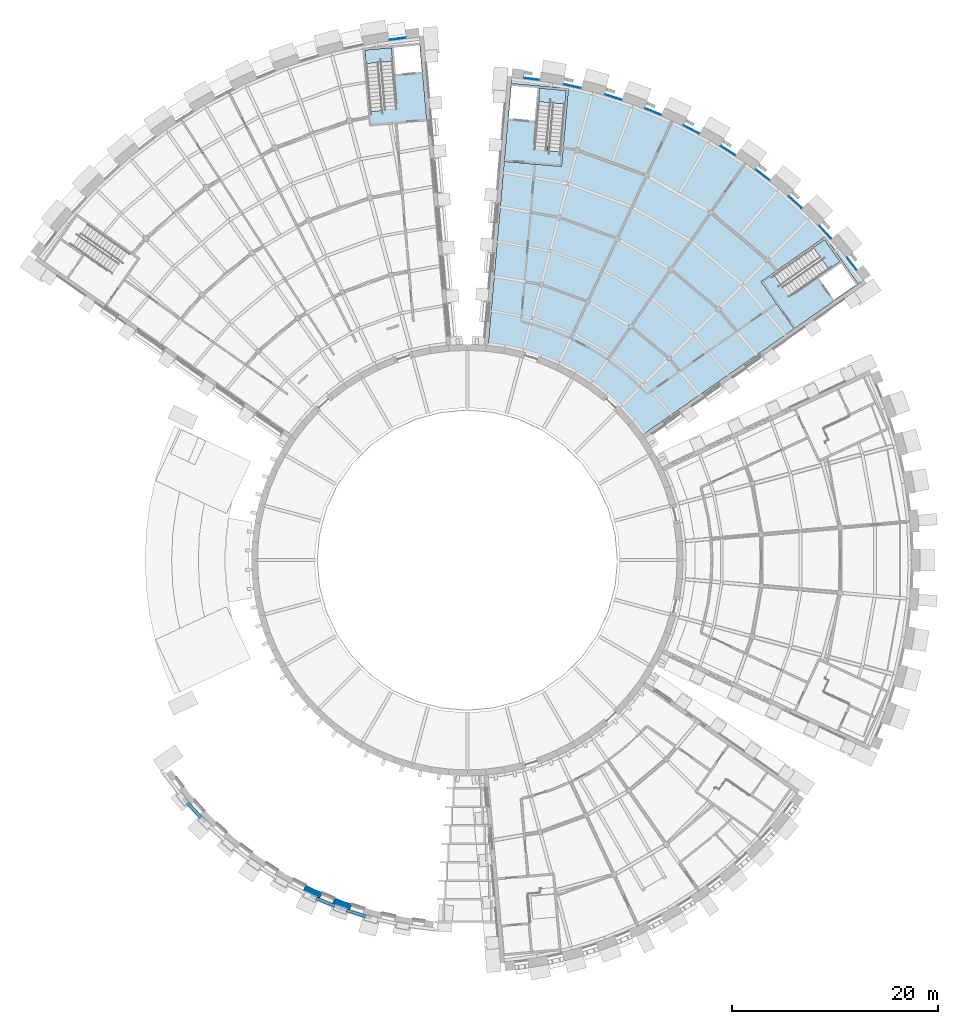
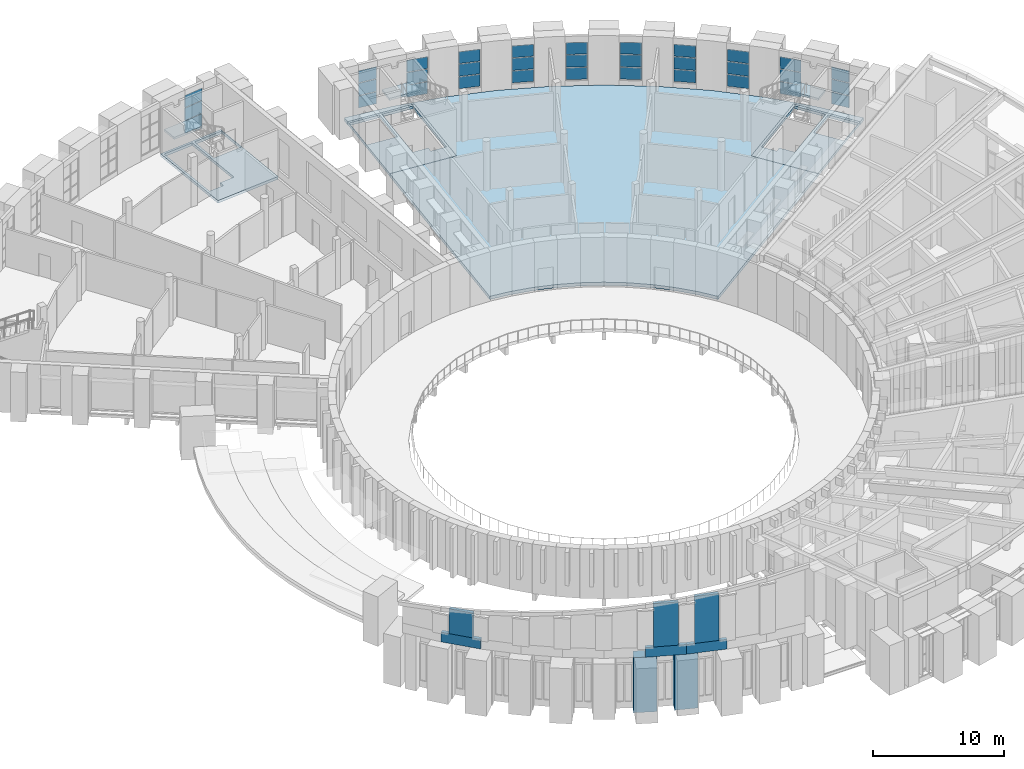
# One storey, part 22 of 50: 33 plates, 8 walls, 7 slabs, 14 elements without a shape of their own.
"""IFC4 building model written with IfcOpenShell, lengths in metres."""

from ifc_helpers import new_model, si_unit, direction, frame, origin, origin_2d, place, context, subcontext, project, spatial, polyline, rectangle, outline, extrude, material, layer, layer_set, type_object, element, aggregate, save


model = new_model("IFC4")

# Units and contexts
model_context = context("Model", 3, precision=1e-05, world=origin(), true_north=direction((0.0, 1.0)))
body_context = subcontext(model_context, "Body", "Model", "MODEL_VIEW")
ifc_project = project(units=[si_unit("LENGTHUNIT", "METRE"), si_unit("AREAUNIT", "SQUARE_METRE"), si_unit("VOLUMEUNIT", "CUBIC_METRE"), si_unit("PLANEANGLEUNIT", "RADIAN"), si_unit("MASSUNIT", "GRAM", prefix="KILO")], contexts=[model_context])

# Site, building, storey
site_placement = place(None, origin())
site = spatial("IfcSite", under=ifc_project, at=site_placement, CompositionType="ELEMENT")
building_placement = place(site_placement, origin())
building = spatial("IfcBuilding", under=site, at=building_placement, Name="Volute Hill Aquarium", CompositionType="ELEMENT")
storey_placement = place(building_placement, frame((0.0, 0.0, 9.199951171875)))
storey = spatial("IfcBuildingStorey", under=building, at=storey_placement, Name="L03", CompositionType="ELEMENT", Elevation=9.199951171875)

# Slabs
ifc_material_1 = material(Name="Concrete C30/37", Category="concrete")
ifc_layer_1 = layer(ifc_material_1, 0.25)
ifc_layer_set_1 = layer_set([ifc_layer_1], Name="Core floor slab 250")
slab_type_1 = type_object("IfcSlabType", Name="Core floor slab 250", PredefinedType="FLOOR", material=ifc_layer_set_1)
slab_1_placement = place(storey_placement, frame((0.0, 0.0, -0.25)))
element("IfcSlab", 1, at=slab_1_placement, inside=storey, type_object=slab_type_1, Name="cs/S5-A/L03", PredefinedType="FLOOR", context=body_context, shape_type="SweptSolid", body=[
    extrude(outline(polyline([(31.791259765625, 22.504638671875), (38.016845703125, 26.86376953125), (34.8046875, 31.451171875), (28.5791015625, 27.091796875), (31.791259765625, 22.504638671875)]), holes=[polyline([(34.23193359375, 27.3876953125), (36.36181640625, 28.87890625), (37.82421875, 26.7900390625), (35.694580078125, 25.298828125), (34.23193359375, 27.3876953125)]), polyline([(30.955078125, 26.92431640625), (30.587890625, 26.667236328125), (29.84228515625, 27.732177734375), (34.755615234375, 31.172607421875), (36.2470703125, 29.042724609375), (31.70068359375, 25.859375), (30.955078125, 26.92431640625)])]), origin(), (0.0, 0.0, 1.0), 0.25),
])
slab_2_placement = place(storey_placement, frame((0.0, 0.0, -0.25)))
element("IfcSlab", 2, at=slab_2_placement, inside=storey, type_object=slab_type_1, Name="cs/S5-B/L03", PredefinedType="FLOOR", context=body_context, shape_type="SweptSolid", body=[
    extrude(outline(polyline([(9.172607421875, 38.29638671875), (9.8349609375, 45.867431640625), (4.25634765625, 46.35546875), (3.593994140625, 38.784423828125), (9.172607421875, 38.29638671875)]), holes=[polyline([(4.009765625, 42.964111328125), (4.288818359375, 46.15185546875), (6.8291015625, 45.9296875), (6.550048828125, 42.74169921875), (4.009765625, 42.964111328125)]), polyline([(6.54443359375, 40.38330078125), (7.0283203125, 45.912109375), (9.618408203125, 45.685546875), (9.095703125, 39.71044921875), (7.800537109375, 39.82373046875), (7.839599609375, 40.27001953125), (6.54443359375, 40.38330078125)])]), origin(), (0.0, 0.0, 1.0), 0.25),
])
slab_3_placement = place(storey_placement, frame((0.0, 0.0, -0.25)))
element("IfcSlab", 3, at=slab_3_placement, inside=storey, type_object=slab_type_1, Name="cs/S6-A/L03", PredefinedType="FLOOR", context=body_context, shape_type="SweptSolid", body=[
    extrude(outline(polyline([(-3.938232421875, 42.71923828125), (-4.6005859375, 50.290283203125), (-10.17919921875, 49.80224609375), (-9.516845703125, 42.231201171875), (-3.938232421875, 42.71923828125)]), holes=[polyline([(-6.94677734375, 47.2744140625), (-7.17333984375, 49.864501953125), (-4.633056640625, 50.0869140625), (-4.406494140625, 47.49658203125), (-6.94677734375, 47.2744140625)]), polyline([(-8.183837890625, 44.204833984375), (-8.144775390625, 43.758544921875), (-9.43994140625, 43.645263671875), (-9.962646484375, 49.62060546875), (-7.37255859375, 49.84716796875), (-6.888916015625, 44.318115234375), (-8.183837890625, 44.204833984375)])]), origin(), (0.0, 0.0, 1.0), 0.25),
])

# Curtain wall, plates
ifc_material_2 = material(Name="Aluminium", Category="aluminium")
ifc_layer_2 = layer(ifc_material_2, 0.25)
ifc_layer_set_2 = layer_set([ifc_layer_2], Name="Curtain wall niche S5 module 1585")
curtain_wall_type_1 = type_object("IfcCurtainWallType", Name="Curtain wall niche S5 module 1585", PredefinedType="NOTDEFINED", material=ifc_layer_set_2)
curtain_wall_1_placement = place(storey_placement, origin())
curtain_wall_1 = element("IfcCurtainWall", 4, at=curtain_wall_1_placement, inside=storey, type_object=curtain_wall_type_1, Name="Curtain wall CW S5 L03 1", PredefinedType="NOTDEFINED")
ifc_material_3 = material(Name="Glass, low-iron laminated", Category="glass")
ifc_layer_3 = layer(ifc_material_3, 0.035888671875)
ifc_layer_set_3 = layer_set([ifc_layer_3], Name="Curtain wall glass panel S5 36")
plate_type_1 = type_object("IfcPlateType", Name="Curtain wall glass panel S5 36", PredefinedType="CURTAIN_PANEL", material=ifc_layer_set_3)
plate_1_placement = place(storey_placement, frame((37.408935546875, 28.8310546875, 0.510009765625), z_axis=(0.0, 0.0, 1.0), x_axis=(-0.608751946393, 0.793360616468, 0.0)))
plate_1 = element("IfcPlate", 5, at=plate_1_placement, type_object=plate_type_1, Name="CW panel 1.1", PredefinedType="CURTAIN_PANEL", context=body_context, shape_type="SweptSolid", body=[
    extrude(rectangle(XDim=1.46533203125, YDim=0.035888671875, at=origin_2d()), origin(), (0.0, 0.0, 1.0), 1.09326171875),
])
plate_2_placement = place(storey_placement, frame((37.408935546875, 28.8310546875, 1.66357421875), z_axis=(0.0, 0.0, 1.0), x_axis=(-0.608751946393, 0.793360616468, 0.0)))
plate_2 = element("IfcPlate", 6, at=plate_2_placement, type_object=plate_type_1, Name="CW panel 1.2", PredefinedType="CURTAIN_PANEL", context=body_context, shape_type="SweptSolid", body=[
    extrude(rectangle(XDim=1.46533203125, YDim=0.035888671875, at=origin_2d()), origin(), (0.0, 0.0, 1.0), 1.123291015625),
])
plate_3_placement = place(storey_placement, frame((37.408935546875, 28.8310546875, 2.8466796875), z_axis=(0.0, 0.0, 1.0), x_axis=(-0.608751946393, 0.793360616468, 0.0)))
plate_3 = element("IfcPlate", 7, at=plate_3_placement, type_object=plate_type_1, Name="CW panel 1.3", PredefinedType="CURTAIN_PANEL", context=body_context, shape_type="SweptSolid", body=[
    extrude(rectangle(XDim=1.46533203125, YDim=0.035888671875, at=origin_2d()), origin(), (0.0, 0.0, 1.0), 1.09326171875),
])
aggregate(curtain_wall_1, [plate_1, plate_2, plate_3])

ifc_material_4 = material(Name="Aluminium", Category="aluminium")
ifc_layer_4 = layer(ifc_material_4, 0.25)
ifc_layer_set_4 = layer_set([ifc_layer_4], Name="Curtain wall niche S5 module 1786")
curtain_wall_type_2 = type_object("IfcCurtainWallType", Name="Curtain wall niche S5 module 1786", PredefinedType="NOTDEFINED", material=ifc_layer_set_4)
curtain_wall_2_placement = place(storey_placement, origin())
curtain_wall_2 = element("IfcCurtainWall", 8, at=curtain_wall_2_placement, inside=storey, type_object=curtain_wall_type_2, Name="Curtain wall CW S5 L03 2", PredefinedType="NOTDEFINED")
plate_4_placement = place(storey_placement, frame((34.8212890625, 31.907958984375, 0.510009765625), z_axis=(0.0, 0.0, 1.0), x_axis=(-0.675584631529, 0.737282446313, 0.0)))
plate_4 = element("IfcPlate", 9, at=plate_4_placement, type_object=plate_type_1, Name="CW panel 1.1", PredefinedType="CURTAIN_PANEL", context=body_context, shape_type="SweptSolid", body=[
    extrude(rectangle(XDim=1.66552734375, YDim=0.035888671875, at=origin_2d()), origin(), (0.0, 0.0, 1.0), 1.09326171875),
])
plate_5_placement = place(storey_placement, frame((34.8212890625, 31.907958984375, 1.66357421875), z_axis=(0.0, 0.0, 1.0), x_axis=(-0.675584631529, 0.737282446313, 0.0)))
plate_5 = element("IfcPlate", 10, at=plate_5_placement, type_object=plate_type_1, Name="CW panel 1.2", PredefinedType="CURTAIN_PANEL", context=body_context, shape_type="SweptSolid", body=[
    extrude(rectangle(XDim=1.66552734375, YDim=0.035888671875, at=origin_2d()), origin(), (0.0, 0.0, 1.0), 1.123291015625),
])
plate_6_placement = place(storey_placement, frame((34.8212890625, 31.907958984375, 2.8466796875), z_axis=(0.0, 0.0, 1.0), x_axis=(-0.675584631529, 0.737282446313, 0.0)))
plate_6 = element("IfcPlate", 11, at=plate_6_placement, type_object=plate_type_1, Name="CW panel 1.3", PredefinedType="CURTAIN_PANEL", context=body_context, shape_type="SweptSolid", body=[
    extrude(rectangle(XDim=1.66552734375, YDim=0.035888671875, at=origin_2d()), origin(), (0.0, 0.0, 1.0), 1.09326171875),
])
aggregate(curtain_wall_2, [plate_4, plate_5, plate_6])

curtain_wall_3_placement = place(storey_placement, origin())
curtain_wall_3 = element("IfcCurtainWall", 12, at=curtain_wall_3_placement, inside=storey, type_object=curtain_wall_type_2, Name="Curtain wall CW S5 L03 3", PredefinedType="NOTDEFINED")
plate_7_placement = place(storey_placement, frame((31.907958984375, 34.821533203125, 0.510009765625), z_axis=(0.0, 0.0, 1.0), x_axis=(-0.737282446313, 0.675584631529, 0.0)))
plate_7 = element("IfcPlate", 13, at=plate_7_placement, type_object=plate_type_1, Name="CW panel 1.1", PredefinedType="CURTAIN_PANEL", context=body_context, shape_type="SweptSolid", body=[
    extrude(rectangle(XDim=1.66552734375, YDim=0.035888671875, at=origin_2d()), origin(), (0.0, 0.0, 1.0), 1.09326171875),
])
plate_8_placement = place(storey_placement, frame((31.907958984375, 34.821533203125, 1.66357421875), z_axis=(0.0, 0.0, 1.0), x_axis=(-0.737282446313, 0.675584631529, 0.0)))
plate_8 = element("IfcPlate", 14, at=plate_8_placement, type_object=plate_type_1, Name="CW panel 1.2", PredefinedType="CURTAIN_PANEL", context=body_context, shape_type="SweptSolid", body=[
    extrude(rectangle(XDim=1.66552734375, YDim=0.035888671875, at=origin_2d()), origin(), (0.0, 0.0, 1.0), 1.123291015625),
])
plate_9_placement = place(storey_placement, frame((31.907958984375, 34.821533203125, 2.8466796875), z_axis=(0.0, 0.0, 1.0), x_axis=(-0.737282446313, 0.675584631529, 0.0)))
plate_9 = element("IfcPlate", 15, at=plate_9_placement, type_object=plate_type_1, Name="CW panel 1.3", PredefinedType="CURTAIN_PANEL", context=body_context, shape_type="SweptSolid", body=[
    extrude(rectangle(XDim=1.66552734375, YDim=0.035888671875, at=origin_2d()), origin(), (0.0, 0.0, 1.0), 1.09326171875),
])
aggregate(curtain_wall_3, [plate_7, plate_8, plate_9])

curtain_wall_4_placement = place(storey_placement, origin())
curtain_wall_4 = element("IfcCurtainWall", 16, at=curtain_wall_4_placement, inside=storey, type_object=curtain_wall_type_2, Name="Curtain wall CW S5 L03 4", PredefinedType="NOTDEFINED")
plate_10_placement = place(storey_placement, frame((28.751708984375, 37.4697265625, 0.510009765625), z_axis=(0.0, 0.0, 1.0), x_axis=(-0.793358325379, 0.608754932261, 0.0)))
plate_10 = element("IfcPlate", 17, at=plate_10_placement, type_object=plate_type_1, Name="CW panel 1.1", PredefinedType="CURTAIN_PANEL", context=body_context, shape_type="SweptSolid", body=[
    extrude(rectangle(XDim=1.66552734375, YDim=0.035888671875, at=origin_2d()), origin(), (0.0, 0.0, 1.0), 1.09326171875),
])
plate_11_placement = place(storey_placement, frame((28.751708984375, 37.4697265625, 1.66357421875), z_axis=(0.0, 0.0, 1.0), x_axis=(-0.793358325379, 0.608754932261, 0.0)))
plate_11 = element("IfcPlate", 18, at=plate_11_placement, type_object=plate_type_1, Name="CW panel 1.2", PredefinedType="CURTAIN_PANEL", context=body_context, shape_type="SweptSolid", body=[
    extrude(rectangle(XDim=1.66552734375, YDim=0.035888671875, at=origin_2d()), origin(), (0.0, 0.0, 1.0), 1.123291015625),
])
plate_12_placement = place(storey_placement, frame((28.751708984375, 37.4697265625, 2.8466796875), z_axis=(0.0, 0.0, 1.0), x_axis=(-0.793358325379, 0.608754932261, 0.0)))
plate_12 = element("IfcPlate", 19, at=plate_12_placement, type_object=plate_type_1, Name="CW panel 1.3", PredefinedType="CURTAIN_PANEL", context=body_context, shape_type="SweptSolid", body=[
    extrude(rectangle(XDim=1.66552734375, YDim=0.035888671875, at=origin_2d()), origin(), (0.0, 0.0, 1.0), 1.09326171875),
])
aggregate(curtain_wall_4, [plate_10, plate_11, plate_12])

curtain_wall_5_placement = place(storey_placement, origin())
curtain_wall_5 = element("IfcCurtainWall", 20, at=curtain_wall_5_placement, inside=storey, type_object=curtain_wall_type_2, Name="Curtain wall CW S5 L03 5", PredefinedType="NOTDEFINED")
plate_13_placement = place(storey_placement, frame((25.37646484375, 39.8330078125, 0.510009765625), z_axis=(0.0, 0.0, 1.0), x_axis=(-0.843385119444, 0.537309538629, 0.0)))
plate_13 = element("IfcPlate", 21, at=plate_13_placement, type_object=plate_type_1, Name="CW panel 1.1", PredefinedType="CURTAIN_PANEL", context=body_context, shape_type="SweptSolid", body=[
    extrude(rectangle(XDim=1.66552734375, YDim=0.035888671875, at=origin_2d()), origin(), (0.0, 0.0, 1.0), 1.09326171875),
])
plate_14_placement = place(storey_placement, frame((25.37646484375, 39.8330078125, 1.66357421875), z_axis=(0.0, 0.0, 1.0), x_axis=(-0.843385119444, 0.537309538629, 0.0)))
plate_14 = element("IfcPlate", 22, at=plate_14_placement, type_object=plate_type_1, Name="CW panel 1.2", PredefinedType="CURTAIN_PANEL", context=body_context, shape_type="SweptSolid", body=[
    extrude(rectangle(XDim=1.66552734375, YDim=0.035888671875, at=origin_2d()), origin(), (0.0, 0.0, 1.0), 1.123291015625),
])
plate_15_placement = place(storey_placement, frame((25.37646484375, 39.8330078125, 2.8466796875), z_axis=(0.0, 0.0, 1.0), x_axis=(-0.843385119444, 0.537309538629, 0.0)))
plate_15 = element("IfcPlate", 23, at=plate_15_placement, type_object=plate_type_1, Name="CW panel 1.3", PredefinedType="CURTAIN_PANEL", context=body_context, shape_type="SweptSolid", body=[
    extrude(rectangle(XDim=1.66552734375, YDim=0.035888671875, at=origin_2d()), origin(), (0.0, 0.0, 1.0), 1.09326171875),
])
aggregate(curtain_wall_5, [plate_13, plate_14, plate_15])

curtain_wall_6_placement = place(storey_placement, origin())
curtain_wall_6 = element("IfcCurtainWall", 24, at=curtain_wall_6_placement, inside=storey, type_object=curtain_wall_type_2, Name="Curtain wall CW S5 L03 6", PredefinedType="NOTDEFINED")
plate_16_placement = place(storey_placement, frame((21.808349609375, 41.893310546875, 0.510009765625), z_axis=(0.0, 0.0, 1.0), x_axis=(-0.887007467928, 0.461755077763, 0.0)))
plate_16 = element("IfcPlate", 25, at=plate_16_placement, type_object=plate_type_1, Name="CW panel 1.1", PredefinedType="CURTAIN_PANEL", context=body_context, shape_type="SweptSolid", body=[
    extrude(rectangle(XDim=1.66552734375, YDim=0.035888671875, at=origin_2d()), origin(), (0.0, 0.0, 1.0), 1.09326171875),
])
plate_17_placement = place(storey_placement, frame((21.808349609375, 41.893310546875, 1.66357421875), z_axis=(0.0, 0.0, 1.0), x_axis=(-0.887007467928, 0.461755077763, 0.0)))
plate_17 = element("IfcPlate", 26, at=plate_17_placement, type_object=plate_type_1, Name="CW panel 1.2", PredefinedType="CURTAIN_PANEL", context=body_context, shape_type="SweptSolid", body=[
    extrude(rectangle(XDim=1.66552734375, YDim=0.035888671875, at=origin_2d()), origin(), (0.0, 0.0, 1.0), 1.123291015625),
])
plate_18_placement = place(storey_placement, frame((21.808349609375, 41.893310546875, 2.8466796875), z_axis=(0.0, 0.0, 1.0), x_axis=(-0.887007467928, 0.461755077763, 0.0)))
plate_18 = element("IfcPlate", 27, at=plate_18_placement, type_object=plate_type_1, Name="CW panel 1.3", PredefinedType="CURTAIN_PANEL", context=body_context, shape_type="SweptSolid", body=[
    extrude(rectangle(XDim=1.66552734375, YDim=0.035888671875, at=origin_2d()), origin(), (0.0, 0.0, 1.0), 1.09326171875),
])
aggregate(curtain_wall_6, [plate_16, plate_17, plate_18])

curtain_wall_7_placement = place(storey_placement, origin())
curtain_wall_7 = element("IfcCurtainWall", 28, at=curtain_wall_7_placement, inside=storey, type_object=curtain_wall_type_2, Name="Curtain wall CW S5 L03 7", PredefinedType="NOTDEFINED")
plate_19_placement = place(storey_placement, frame((18.073974609375, 43.634521484375, 0.510009765625), z_axis=(0.0, 0.0, 1.0), x_axis=(-0.923878338901, 0.382686313983, 0.0)))
plate_19 = element("IfcPlate", 29, at=plate_19_placement, type_object=plate_type_1, Name="CW panel 1.1", PredefinedType="CURTAIN_PANEL", context=body_context, shape_type="SweptSolid", body=[
    extrude(rectangle(XDim=1.66552734375, YDim=0.035888671875, at=origin_2d()), origin(), (0.0, 0.0, 1.0), 1.09326171875),
])
plate_20_placement = place(storey_placement, frame((18.073974609375, 43.634521484375, 1.66357421875), z_axis=(0.0, 0.0, 1.0), x_axis=(-0.923878338901, 0.382686313983, 0.0)))
plate_20 = element("IfcPlate", 30, at=plate_20_placement, type_object=plate_type_1, Name="CW panel 1.2", PredefinedType="CURTAIN_PANEL", context=body_context, shape_type="SweptSolid", body=[
    extrude(rectangle(XDim=1.66552734375, YDim=0.035888671875, at=origin_2d()), origin(), (0.0, 0.0, 1.0), 1.123291015625),
])
plate_21_placement = place(storey_placement, frame((18.073974609375, 43.634521484375, 2.8466796875), z_axis=(0.0, 0.0, 1.0), x_axis=(-0.923878338901, 0.382686313983, 0.0)))
plate_21 = element("IfcPlate", 31, at=plate_21_placement, type_object=plate_type_1, Name="CW panel 1.3", PredefinedType="CURTAIN_PANEL", context=body_context, shape_type="SweptSolid", body=[
    extrude(rectangle(XDim=1.66552734375, YDim=0.035888671875, at=origin_2d()), origin(), (0.0, 0.0, 1.0), 1.09326171875),
])
aggregate(curtain_wall_7, [plate_19, plate_20, plate_21])

curtain_wall_8_placement = place(storey_placement, origin())
curtain_wall_8 = element("IfcCurtainWall", 32, at=curtain_wall_8_placement, inside=storey, type_object=curtain_wall_type_2, Name="Curtain wall CW S5 L03 8", PredefinedType="NOTDEFINED")
plate_22_placement = place(storey_placement, frame((14.202392578125, 45.043701171875, 0.510009765625), z_axis=(0.0, 0.0, 1.0), x_axis=(-0.953717653977, 0.300703569139, 0.0)))
plate_22 = element("IfcPlate", 33, at=plate_22_placement, type_object=plate_type_1, Name="CW panel 1.1", PredefinedType="CURTAIN_PANEL", context=body_context, shape_type="SweptSolid", body=[
    extrude(rectangle(XDim=1.66552734375, YDim=0.035888671875, at=origin_2d()), origin(), (0.0, 0.0, 1.0), 1.09326171875),
])
plate_23_placement = place(storey_placement, frame((14.202392578125, 45.043701171875, 1.66357421875), z_axis=(0.0, 0.0, 1.0), x_axis=(-0.953717653977, 0.300703569139, 0.0)))
plate_23 = element("IfcPlate", 34, at=plate_23_placement, type_object=plate_type_1, Name="CW panel 1.2", PredefinedType="CURTAIN_PANEL", context=body_context, shape_type="SweptSolid", body=[
    extrude(rectangle(XDim=1.66552734375, YDim=0.035888671875, at=origin_2d()), origin(), (0.0, 0.0, 1.0), 1.123291015625),
])
plate_24_placement = place(storey_placement, frame((14.202392578125, 45.043701171875, 2.8466796875), z_axis=(0.0, 0.0, 1.0), x_axis=(-0.953717653977, 0.300703569139, 0.0)))
plate_24 = element("IfcPlate", 35, at=plate_24_placement, type_object=plate_type_1, Name="CW panel 1.3", PredefinedType="CURTAIN_PANEL", context=body_context, shape_type="SweptSolid", body=[
    extrude(rectangle(XDim=1.66552734375, YDim=0.035888671875, at=origin_2d()), origin(), (0.0, 0.0, 1.0), 1.09326171875),
])
aggregate(curtain_wall_8, [plate_22, plate_23, plate_24])

curtain_wall_9_placement = place(storey_placement, origin())
curtain_wall_9 = element("IfcCurtainWall", 36, at=curtain_wall_9_placement, inside=storey, type_object=curtain_wall_type_2, Name="Curtain wall CW S5 L03 9", PredefinedType="NOTDEFINED")
plate_25_placement = place(storey_placement, frame((10.222412109375, 46.110107421875, 0.510009765625), z_axis=(0.0, 0.0, 1.0), x_axis=(-0.976299855617, 0.216422253758, 0.0)))
plate_25 = element("IfcPlate", 37, at=plate_25_placement, type_object=plate_type_1, Name="CW panel 1.1", PredefinedType="CURTAIN_PANEL", context=body_context, shape_type="SweptSolid", body=[
    extrude(rectangle(XDim=1.66552734375, YDim=0.035888671875, at=origin_2d()), origin(), (0.0, 0.0, 1.0), 1.09326171875),
])
plate_26_placement = place(storey_placement, frame((10.222412109375, 46.110107421875, 1.66357421875), z_axis=(0.0, 0.0, 1.0), x_axis=(-0.976299855617, 0.216422253758, 0.0)))
plate_26 = element("IfcPlate", 38, at=plate_26_placement, type_object=plate_type_1, Name="CW panel 1.2", PredefinedType="CURTAIN_PANEL", context=body_context, shape_type="SweptSolid", body=[
    extrude(rectangle(XDim=1.66552734375, YDim=0.035888671875, at=origin_2d()), origin(), (0.0, 0.0, 1.0), 1.123291015625),
])
plate_27_placement = place(storey_placement, frame((10.222412109375, 46.110107421875, 2.8466796875), z_axis=(0.0, 0.0, 1.0), x_axis=(-0.976299855617, 0.216422253758, 0.0)))
plate_27 = element("IfcPlate", 39, at=plate_27_placement, type_object=plate_type_1, Name="CW panel 1.3", PredefinedType="CURTAIN_PANEL", context=body_context, shape_type="SweptSolid", body=[
    extrude(rectangle(XDim=1.66552734375, YDim=0.035888671875, at=origin_2d()), origin(), (0.0, 0.0, 1.0), 1.09326171875),
])
aggregate(curtain_wall_9, [plate_25, plate_26, plate_27])

curtain_wall_10_placement = place(storey_placement, origin())
curtain_wall_10 = element("IfcCurtainWall", 40, at=curtain_wall_10_placement, inside=storey, type_object=curtain_wall_type_1, Name="Curtain wall CW S5 L03 10", PredefinedType="NOTDEFINED")
plate_28_placement = place(storey_placement, frame((6.263916015625, 46.8125, 0.510009765625), z_axis=(0.0, 0.0, 1.0), x_axis=(-0.991443171246, 0.130539029372, 0.0)))
plate_28 = element("IfcPlate", 41, at=plate_28_placement, type_object=plate_type_1, Name="CW panel 1.1", PredefinedType="CURTAIN_PANEL", context=body_context, shape_type="SweptSolid", body=[
    extrude(rectangle(XDim=1.46533203125, YDim=0.035888671875, at=origin_2d()), origin(), (0.0, 0.0, 1.0), 1.09326171875),
])
plate_29_placement = place(storey_placement, frame((6.263916015625, 46.8125, 1.66357421875), z_axis=(0.0, 0.0, 1.0), x_axis=(-0.991443171246, 0.130539029372, 0.0)))
plate_29 = element("IfcPlate", 42, at=plate_29_placement, type_object=plate_type_1, Name="CW panel 1.2", PredefinedType="CURTAIN_PANEL", context=body_context, shape_type="SweptSolid", body=[
    extrude(rectangle(XDim=1.46533203125, YDim=0.035888671875, at=origin_2d()), origin(), (0.0, 0.0, 1.0), 1.123291015625),
])
plate_30_placement = place(storey_placement, frame((6.263916015625, 46.8125, 2.8466796875), z_axis=(0.0, 0.0, 1.0), x_axis=(-0.991443171246, 0.130539029372, 0.0)))
plate_30 = element("IfcPlate", 43, at=plate_30_placement, type_object=plate_type_1, Name="CW panel 1.3", PredefinedType="CURTAIN_PANEL", context=body_context, shape_type="SweptSolid", body=[
    extrude(rectangle(XDim=1.46533203125, YDim=0.035888671875, at=origin_2d()), origin(), (0.0, 0.0, 1.0), 1.09326171875),
])
aggregate(curtain_wall_10, [plate_28, plate_29, plate_30])

ifc_material_5 = material(Name="Aluminium", Category="aluminium")
ifc_layer_5 = layer(ifc_material_5, 0.25)
ifc_layer_set_5 = layer_set([ifc_layer_5], Name="Curtain wall niche S6 module 1734")
curtain_wall_type_3 = type_object("IfcCurtainWallType", Name="Curtain wall niche S6 module 1734", PredefinedType="NOTDEFINED", material=ifc_layer_set_5)
curtain_wall_11_placement = place(storey_placement, origin())
curtain_wall_11 = element("IfcCurtainWall", 44, at=curtain_wall_11_placement, inside=storey, type_object=curtain_wall_type_3, Name="Curtain wall CW S6 L03 1", PredefinedType="NOTDEFINED")
ifc_material_6 = material(Name="Glass, low-iron laminated", Category="glass")
ifc_layer_6 = layer(ifc_material_6, 0.035888671875)
ifc_layer_set_6 = layer_set([ifc_layer_6], Name="Curtain wall glass panel S6 36")
plate_type_2 = type_object("IfcPlateType", Name="Curtain wall glass panel S6 36", PredefinedType="CURTAIN_PANEL", material=ifc_layer_set_6)
plate_31_placement = place(storey_placement, frame((-6.779052734375, 50.72509765625, 1.675048828125), z_axis=(0.0, 0.0, 1.0), x_axis=(-0.99144508504, -0.130524493298, 0.0)))
plate_31 = element("IfcPlate", 45, at=plate_31_placement, type_object=plate_type_2, Name="CW panel 1.2", PredefinedType="CURTAIN_PANEL", context=body_context, shape_type="SweptSolid", body=[
    extrude(rectangle(XDim=1.633544921875, YDim=0.035888671875, at=origin_2d()), origin(), (0.0, 0.0, 1.0), 1.14990234375),
])
plate_32_placement = place(storey_placement, frame((-6.779052734375, 50.72509765625, 2.875), z_axis=(0.0, 0.0, 1.0), x_axis=(-0.99144508504, -0.130524493298, 0.0)))
plate_32 = element("IfcPlate", 46, at=plate_32_placement, type_object=plate_type_2, Name="CW panel 1.3", PredefinedType="CURTAIN_PANEL", context=body_context, shape_type="SweptSolid", body=[
    extrude(rectangle(XDim=1.633544921875, YDim=0.035888671875, at=origin_2d()), origin(), (0.0, 0.0, 1.0), 1.125),
])
ifc_material_7 = material(Name="Aluminium", Category="aluminium")
ifc_layer_7 = layer(ifc_material_7, 0.06005859375)
ifc_layer_set_7 = layer_set([ifc_layer_7], Name="Curtain wall insulated spandrel panel 60")
plate_type_3 = type_object("IfcPlateType", Name="Curtain wall insulated spandrel panel 60", PredefinedType="CURTAIN_PANEL", material=ifc_layer_set_7)
plate_33_placement = place(storey_placement, frame((-6.779052734375, 50.72509765625, 0.5), z_axis=(0.0, 0.0, 1.0), x_axis=(-0.99144508504, -0.130524493298, 0.0)))
plate_33 = element("IfcPlate", 47, at=plate_33_placement, type_object=plate_type_3, Name="CW panel 1.1", PredefinedType="CURTAIN_PANEL", context=body_context, shape_type="SweptSolid", body=[
    extrude(rectangle(XDim=1.633544921875, YDim=0.06005859375, at=origin_2d()), origin(), (0.0, 0.0, 1.0), 1.125),
])
aggregate(curtain_wall_11, [plate_33, plate_31, plate_32])

# Slab
ifc_material_8 = material(Name="Concrete C35/45", Category="concrete")
ifc_layer_8 = layer(ifc_material_8, 0.2900390625)
ifc_layer_set_8 = layer_set([ifc_layer_8], Name="Floor slab 290 C35/45")
slab_type_2 = type_object("IfcSlabType", Name="Floor slab 290 C35/45", PredefinedType="FLOOR", material=ifc_layer_set_8)
slab_4_placement = place(storey_placement, frame((0.0, 0.0, -0.2900390625)))
element("IfcSlab", 48, at=slab_4_placement, inside=storey, type_object=slab_type_2, Name="fl/S5/L03/1", PredefinedType="FLOOR", context=body_context, shape_type="SweptSolid", body=[
    extrude(outline(polyline([(8.1875, 46.43359375), (12.203369140625, 45.54345703125), (16.126220703125, 44.306396484375), (19.926513671875, 42.732421875), (23.574951171875, 40.8330078125), (27.044189453125, 38.623046875), (30.307373046875, 36.118896484375), (33.340087890625, 33.340087890625), (36.118896484375, 30.307373046875), (38.501220703125, 27.202880859375), (38.016845703125, 26.86376953125), (34.8046875, 31.451171875), (28.5791015625, 27.091796875), (31.791259765625, 22.504638671875), (17.080322265625, 12.203857421875), (16.0869140625, 13.49853515625), (14.84912109375, 14.84912109375), (13.49853515625, 16.0869140625), (12.045166015625, 17.2021484375), (10.5, 18.1865234375), (8.875, 19.032470703125), (7.182373046875, 19.7333984375), (5.435302734375, 20.284423828125), (3.646484375, 20.680908203125), (2.02880859375, 20.89404296875), (3.94580078125, 42.804443359375), (3.593994140625, 38.784423828125), (9.172607421875, 38.29638671875), (9.8349609375, 45.867431640625), (4.25634765625, 46.35546875), (4.307861328125, 46.944580078125), (8.1875, 46.43359375)])), origin(), (0.0, 0.0, 1.0), 0.2900390625),
])

# Stair, slab
ifc_material_9 = material(Name="Concrete C35/45", Category="concrete")
stair_type = type_object("IfcStairType", Name="Stair C35/45", PredefinedType="HALF_TURN_STAIR", material=ifc_material_9)
stair_1_placement = place(storey_placement, origin())
stair_1 = element("IfcStair", 49, at=stair_1_placement, inside=storey, type_object=stair_type, Name="ST/S5-A/L03", PredefinedType="HALF_TURN_STAIR")
ifc_material_10 = material(Name="Concrete C35/45", Category="concrete")
ifc_layer_9 = layer(ifc_material_10, 0.199951171875)
ifc_layer_set_9 = layer_set([ifc_layer_9], Name="Stair landing C35/45 200")
slab_type_3 = type_object("IfcSlabType", Name="Stair landing C35/45 200", PredefinedType="LANDING", material=ifc_layer_set_9)
slab_5_placement = place(storey_placement, frame((0.0, 0.0, 2.10009765625)))
slab_5 = element("IfcSlab", 50, at=slab_5_placement, type_object=slab_type_3, Name="ST-S5-A-03 landing 1", PredefinedType="LANDING", context=body_context, shape_type="SweptSolid", body=[
    extrude(outline(polyline([(35.1640625, 28.284423828125), (36.2470703125, 29.042724609375), (34.755615234375, 31.172607421875), (33.6728515625, 30.414306640625), (35.1640625, 28.284423828125)])), origin(), (0.0, 0.0, 1.0), 0.199951171875),
])
aggregate(stair_1, [slab_5])

stair_2_placement = place(storey_placement, origin())
stair_2 = element("IfcStair", 51, at=stair_2_placement, inside=storey, type_object=stair_type, Name="ST/S5-B/L03", PredefinedType="HALF_TURN_STAIR")
slab_6_placement = place(storey_placement, frame((0.0, 0.0, 2.10009765625)))
slab_6 = element("IfcSlab", 52, at=slab_6_placement, type_object=slab_type_3, Name="ST-S5-B-03 landing 1", PredefinedType="LANDING", context=body_context, shape_type="SweptSolid", body=[
    extrude(outline(polyline([(9.503173828125, 44.36865234375), (9.618408203125, 45.685546875), (7.0283203125, 45.912109375), (6.9130859375, 44.59521484375), (9.503173828125, 44.36865234375)])), origin(), (0.0, 0.0, 1.0), 0.199951171875),
])
aggregate(stair_2, [slab_6])

stair_3_placement = place(storey_placement, origin())
stair_3 = element("IfcStair", 53, at=stair_3_placement, inside=storey, type_object=stair_type, Name="ST/S6-A/L03", PredefinedType="HALF_TURN_STAIR")
slab_7_placement = place(storey_placement, frame((0.0, 0.0, 2.10009765625)))
slab_7 = element("IfcSlab", 54, at=slab_7_placement, type_object=slab_type_3, Name="ST-S6-A-03 landing 1", PredefinedType="LANDING", context=body_context, shape_type="SweptSolid", body=[
    extrude(outline(polyline([(-7.25732421875, 48.5302734375), (-7.37255859375, 49.84716796875), (-9.962646484375, 49.62060546875), (-9.847412109375, 48.3037109375), (-7.25732421875, 48.5302734375)])), origin(), (0.0, 0.0, 1.0), 0.199951171875),
])
aggregate(stair_3, [slab_7])

# Walls
ifc_material_11 = material(Name="Precast concrete C40/50", Category="concrete")
ifc_layer_10 = layer(ifc_material_11, 0.300048828125)
ifc_layer_set_10 = layer_set([ifc_layer_10], Name="Crown screen wall precast concrete C40/50 300")
wall_type_1 = type_object("IfcWallType", Name="Crown screen wall precast concrete C40/50 300", PredefinedType="NOTDEFINED", material=ifc_layer_set_10)
wall_1_placement = place(storey_placement, frame((0.0, 0.0, 6.022705078125)))
element("IfcWall", 55, at=wall_1_placement, inside=storey, type_object=wall_type_1, Name="Crown screen wall CSW S2 2", PredefinedType="NOTDEFINED", context=body_context, shape_type="SweptSolid", body=[
    extrude(outline(polyline([(-27.310302734375, -23.728271484375), (-26.018310546875, -25.138427734375), (-25.805908203125, -24.926025390625), (-27.080322265625, -23.535400390625), (-27.310302734375, -23.728271484375)])), origin(), (0.0, 0.0, 1.0), 2.3037109375),
])
wall_2_placement = place(storey_placement, frame((0.0, 0.0, 6.022705078125)))
element("IfcWall", 56, at=wall_2_placement, inside=storey, type_object=wall_type_1, Name="Crown screen wall CSW S2 7", PredefinedType="NOTDEFINED", context=body_context, shape_type="SweptSolid", body=[
    extrude(outline(polyline([(-14.7236328125, -33.047119140625), (-12.956787109375, -33.77880859375), (-12.85400390625, -33.496826171875), (-14.5966796875, -32.77490234375), (-14.7236328125, -33.047119140625)])), origin(), (0.0, 0.0, 1.0), 4.013427734375),
])
wall_3_placement = place(storey_placement, frame((0.0, 0.0, 6.022705078125)))
element("IfcWall", 57, at=wall_3_placement, inside=storey, type_object=wall_type_1, Name="Crown screen wall CSW S2 8", PredefinedType="NOTDEFINED", context=body_context, shape_type="SweptSolid", body=[
    extrude(outline(polyline([(-11.787353515625, -34.20458984375), (-9.96337890625, -34.779541015625), (-9.885498046875, -34.489501953125), (-11.6845703125, -33.92236328125), (-11.787353515625, -34.20458984375)])), origin(), (0.0, 0.0, 1.0), 4.35546875),
])
ifc_material_12 = material(Name="Precast concrete C40/50", Category="concrete")
ifc_layer_11 = layer(ifc_material_12, 0.89990234375)
ifc_layer_set_11 = layer_set([ifc_layer_11], Name="Outer pier precast concrete C40/50 900")
wall_type_2 = type_object("IfcWallType", Name="Outer pier precast concrete C40/50 900", PredefinedType="NOTDEFINED", material=ifc_layer_set_11)
wall_4_placement = place(storey_placement, origin())
element("IfcWall", 58, at=wall_4_placement, inside=storey, type_object=wall_type_2, Name="Outer pier OWP S2 L03 7", PredefinedType="NOTDEFINED", context=body_context, shape_type="SweptSolid", body=[
    extrude(outline(polyline([(-15.689208984375, -31.5908203125), (-16.104736328125, -32.38916015625), (-14.459716796875, -33.156494140625), (-14.115234375, -32.324951171875), (-14.918212890625, -31.9921875), (-15.689208984375, -31.5908203125)])), origin(), (0.0, 0.0, 1.0), 5.12255859375),
])
wall_5_placement = place(storey_placement, origin())
element("IfcWall", 59, at=wall_5_placement, inside=storey, type_object=wall_type_2, Name="Outer pier OWP S2 L03 8", PredefinedType="NOTDEFINED", context=body_context, shape_type="SweptSolid", body=[
    extrude(outline(polyline([(-12.876220703125, -32.838134765625), (-13.220703125, -33.669677734375), (-11.514892578125, -34.29052734375), (-11.244140625, -33.43212890625), (-12.0732421875, -33.170654296875), (-12.876220703125, -32.838134765625)])), origin(), (0.0, 0.0, 1.0), 5.12255859375),
])
ifc_material_13 = material(Name="Precast concrete C40/50", Category="concrete")
ifc_layer_12 = layer(ifc_material_13, 0.300048828125)
ifc_layer_set_12 = layer_set([ifc_layer_12], Name="Roof edge parapet precast concrete C40/50 300")
wall_type_3 = type_object("IfcWallType", Name="Roof edge parapet precast concrete C40/50 300", PredefinedType="PARAPET", material=ifc_layer_set_12)
wall_6_placement = place(storey_placement, frame((0.0, 0.0, 5.12255859375)))
element("IfcWall", 60, at=wall_6_placement, inside=storey, type_object=wall_type_3, Name="Roof edge parapet PAR S2 2", PredefinedType="PARAPET", context=body_context, shape_type="SweptSolid", body=[
    extrude(outline(polyline([(-27.501220703125, -23.076171875), (-27.731201171875, -23.269287109375), (-25.59765625, -25.59765625), (-25.38525390625, -25.38525390625), (-27.501220703125, -23.076171875)])), origin(), (0.0, 0.0, 1.0), 0.900146484375),
])
wall_7_placement = place(storey_placement, frame((0.0, 0.0, 5.12255859375)))
element("IfcWall", 61, at=wall_7_placement, inside=storey, type_object=wall_type_3, Name="Roof edge parapet PAR S2 7", PredefinedType="PARAPET", context=body_context, shape_type="SweptSolid", body=[
    extrude(outline(polyline([(-15.172119140625, -32.53662109375), (-15.299072265625, -32.808837890625), (-12.38134765625, -34.017333984375), (-12.278564453125, -33.735107421875), (-15.172119140625, -32.53662109375)])), origin(), (0.0, 0.0, 1.0), 0.900146484375),
])
wall_8_placement = place(storey_placement, frame((0.0, 0.0, 5.12255859375)))
element("IfcWall", 62, at=wall_8_placement, inside=storey, type_object=wall_type_3, Name="Roof edge parapet PAR S2 8", PredefinedType="PARAPET", context=body_context, shape_type="SweptSolid", body=[
    extrude(outline(polyline([(-12.278564453125, -33.735107421875), (-12.38134765625, -34.017333984375), (-9.369384765625, -34.967041015625), (-9.29150390625, -34.6767578125), (-12.278564453125, -33.735107421875)])), origin(), (0.0, 0.0, 1.0), 0.900146484375),
])

save(model, "model.ifc")
